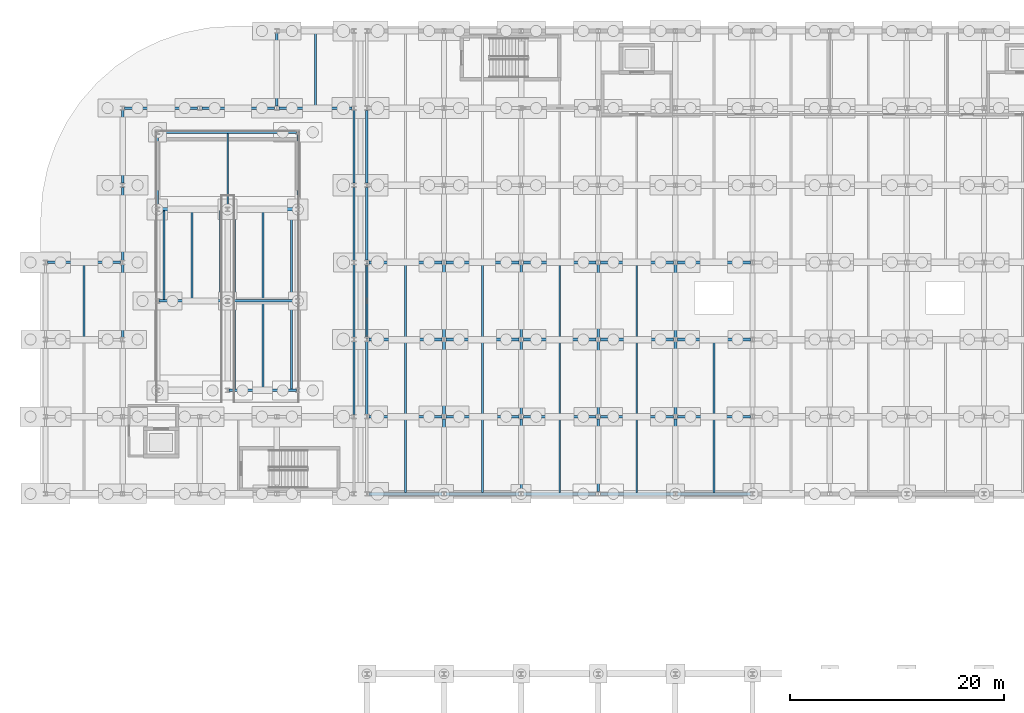
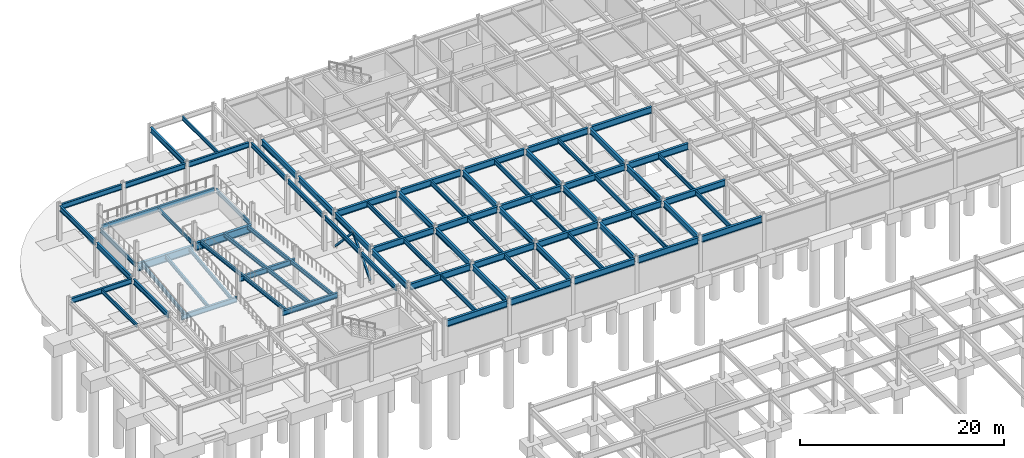
# One storey, part 29 of 54: 79 beams, 2 members.
"""IFC4 building model written with IfcOpenShell, lengths in metres."""

from ifc_helpers import new_model, si_unit, direction, frame, origin, origin_2d, place, context, subcontext, project, spatial, hollow_rectangle, i_section, extrude, material, material_profile, profile_set, type_object, element, save


model = new_model("IFC4")

# Units and contexts
model_context = context("Model", 3, precision=1e-05, world=origin(), true_north=direction((0.0, 1.0)))
body_context = subcontext(model_context, "Body", "Model", "MODEL_VIEW")
ifc_project = project(units=[si_unit("LENGTHUNIT", "METRE"), si_unit("AREAUNIT", "SQUARE_METRE"), si_unit("VOLUMEUNIT", "CUBIC_METRE"), si_unit("PLANEANGLEUNIT", "RADIAN"), si_unit("MASSUNIT", "GRAM", prefix="KILO")], contexts=[model_context])

# Site, building, storey
site_placement = place(None, origin())
site = spatial("IfcSite", under=ifc_project, at=site_placement, CompositionType="ELEMENT")
building_placement = place(site_placement, origin())
building = spatial("IfcBuilding", under=site, at=building_placement, Name="Vaelcorin Mobility Hub", CompositionType="ELEMENT")
storey_placement = place(building_placement, frame((0.0, 0.0, -4.5)))
storey = spatial("IfcBuildingStorey", under=building, at=storey_placement, Name="B1", CompositionType="ELEMENT", Elevation=-4.5)

# Beams
ifc_material_1 = material(Name="Steel ASTM A992 Grade 50", Category="steel")
ifc_material_profile_1 = material_profile(ifc_material_1, i_section(OverallWidth=0.152099609375, OverallDepth=0.455078125, WebThickness=0.008056640625, FlangeThickness=0.01318359375, FilletRadius=0.012939453125, at=origin_2d()), Name="W18X40")
ifc_profile_set_1 = profile_set([ifc_material_profile_1], Name="Steel ASTM A992 Grade 50")
beam_type_1 = type_object("IfcBeamType", Name="BM-W18X40", PredefinedType="JOIST", material=ifc_profile_set_1)
beam_1_placement = place(storey_placement, frame((9.60009765625, 91.31201171875, 4.02197265625), z_axis=(0.0, 1.0, 0.0), x_axis=(-1.0, 0.0, 0.0)))
element("IfcBeam", 1, at=beam_1_placement, inside=storey, type_object=beam_type_1, Name="B1 Beam V2W-B1-J-01-03-1", PredefinedType="JOIST", context=body_context, shape_type="SweptSolid", body=[
    extrude(i_section(OverallWidth=0.152099609375, OverallDepth=0.455078125, WebThickness=0.008056640625, FlangeThickness=0.01318359375, FilletRadius=0.012939453125, at=origin_2d()), origin(), (0.0, 0.0, 1.0), 6.97607421875),
])
beam_2_placement = place(storey_placement, frame((31.199951171875, 112.912109375, 4.02197265625), z_axis=(0.0, 1.0, 0.0), x_axis=(-1.0, 0.0, 0.0)))
element("IfcBeam", 2, at=beam_2_placement, inside=storey, type_object=beam_type_1, Name="B1 Beam V2W-B1-J-04-06-1", PredefinedType="JOIST", context=body_context, shape_type="SweptSolid", body=[
    extrude(i_section(OverallWidth=0.152099609375, OverallDepth=0.455078125, WebThickness=0.008056640625, FlangeThickness=0.01318359375, FilletRadius=0.012939453125, at=origin_2d()), origin(), (0.0, 0.0, 1.0), 6.975830078125),
])
beam_3_placement = place(storey_placement, frame((23.0, 103.52490234375, 1.741943359375), z_axis=(0.0, 1.0, 0.0), x_axis=(-1.0, 0.0, 0.0)))
element("IfcBeam", 3, at=beam_3_placement, inside=storey, type_object=beam_type_1, Name="Vehicle Ramp VR-1 B1 Landing Mid Joist", PredefinedType="JOIST", context=body_context, shape_type="SweptSolid", body=[
    extrude(i_section(OverallWidth=0.152099609375, OverallDepth=0.455078125, WebThickness=0.008056640625, FlangeThickness=0.01318359375, FilletRadius=0.012939453125, at=origin_2d()), origin(), (0.0, 0.0, 1.0), 6.922119140625),
])
ifc_material_profile_2 = material_profile(ifc_material_1, i_section(OverallWidth=0.19091796875, OverallDepth=0.4599609375, WebThickness=0.010009765625, FlangeThickness=0.01611328125, FilletRadius=0.012939453125, at=origin_2d()), Name="W18X55")
ifc_profile_set_2 = profile_set([ifc_material_profile_2], Name="Steel ASTM A992 Grade 50")
beam_type_2 = type_object("IfcBeamType", Name="BM-W18X55", PredefinedType="JOIST", material=ifc_profile_set_2)
for number, where, z_axis, x_axis, name in (
    (4, (17.050048828125, 94.909912109375, 0.60693359375), (0.0, 0.993191474496, 0.116493325936), (-1.0, 0.0, 0.0), "Vehicle Ramp VR-1 B1 Flight 1 Stringer 1"),
    (5, (19.699951171875, 94.909912109375, 0.60693359375), (0.0, 0.993191474496, 0.116493325936), (-1.0, 0.0, 0.0), "Vehicle Ramp VR-1 B1 Flight 1 Stringer 2"),
    (6, (22.35009765625, 94.909912109375, 0.60693359375), (0.0, 0.993191474496, 0.116493325936), (-1.0, 0.0, 0.0), "Vehicle Ramp VR-1 B1 Flight 1 Stringer 3"),
):
    element("IfcBeam", number, at=place(storey_placement, frame(where, z_axis=z_axis, x_axis=x_axis)), inside=storey, type_object=beam_type_2, Name=name, PredefinedType="JOIST", context=body_context, shape_type="SweptSolid", body=[
        extrude(i_section(OverallWidth=0.19091796875, OverallDepth=0.4599609375, WebThickness=0.010009765625, FlangeThickness=0.01611328125, FilletRadius=0.012939453125, at=origin_2d()), origin(), (0.0, 0.0, 1.0), 8.38720703125),
    ])
for number, where, z_axis, x_axis, name in (
    (7, (23.64990234375, 103.239990234375, 1.888916015625), (0.0, -0.99318727008, 0.116529166098), (1.0, 0.0, 0.0), "Vehicle Ramp VR-1 B1 Flight 2 Stringer 1"),
    (8, (26.300048828125, 103.239990234375, 1.888916015625), (0.0, -0.99318727008, 0.116529166098), (1.0, 0.0, 0.0), "Vehicle Ramp VR-1 B1 Flight 2 Stringer 2"),
    (9, (28.949951171875, 103.239990234375, 1.888916015625), (0.0, -0.99318727008, 0.116529166098), (1.0, 0.0, 0.0), "Vehicle Ramp VR-1 B1 Flight 2 Stringer 3"),
):
    element("IfcBeam", number, at=place(storey_placement, frame(where, z_axis=z_axis, x_axis=x_axis)), inside=storey, type_object=beam_type_2, Name=name, PredefinedType="JOIST", context=body_context, shape_type="SweptSolid", body=[
        extrude(i_section(OverallWidth=0.19091796875, OverallDepth=0.4599609375, WebThickness=0.010009765625, FlangeThickness=0.01611328125, FilletRadius=0.012939453125, at=origin_2d()), origin(), (0.0, 0.0, 1.0), 16.79443359375),
    ])
ifc_material_profile_3 = material_profile(ifc_material_1, i_section(OverallWidth=0.166015625, OverallDepth=0.528076171875, WebThickness=0.009765625, FlangeThickness=0.013671875, FilletRadius=0.013916015625, at=origin_2d()), Name="W21X50")
ifc_profile_set_3 = profile_set([ifc_material_profile_3], Name="Steel ASTM A992 Grade 50")
beam_type_3 = type_object("IfcBeamType", Name="BM-W21X50", PredefinedType="JOIST", material=ifc_profile_set_3)
for number, where, z_axis, x_axis, name in (
    (10, (39.60009765625, 76.931884765625, 3.9560546875), (0.0, 1.0, 0.0), (-1.0, 0.0, 0.0), "B1 Beam V4-B1-J-01-01-1"),
    (11, (39.60009765625, 84.132080078125, 3.9560546875), (0.0, 1.0, 0.0), (-1.0, 0.0, 0.0), "B1 Beam V4-B1-J-01-02-1"),
    (12, (39.60009765625, 91.33203125, 3.9560546875), (0.0, 1.0, 0.0), (-1.0, 0.0, 0.0), "B1 Beam V4-B1-J-01-03-1"),
    (13, (46.800048828125, 76.931884765625, 3.9560546875), (0.0, 1.0, 0.0), (-1.0, 0.0, 0.0), "B1 Beam V4-B1-J-02-01-1"),
    (14, (46.800048828125, 84.132080078125, 3.9560546875), (0.0, 1.0, 0.0), (-1.0, 0.0, 0.0), "B1 Beam V4-B1-J-02-02-1"),
    (15, (46.800048828125, 91.33203125, 3.9560546875), (0.0, 1.0, 0.0), (-1.0, 0.0, 0.0), "B1 Beam V4-B1-J-02-03-1"),
    (16, (54.0, 76.931884765625, 3.9560546875), (0.0, 1.0, 0.0), (-1.0, 0.0, 0.0), "B1 Beam V4-B1-J-03-01-1"),
    (17, (54.0, 84.132080078125, 3.9560546875), (0.0, 1.0, 0.0), (-1.0, 0.0, 0.0), "B1 Beam V4-B1-J-03-02-1"),
    (18, (54.0, 91.33203125, 3.9560546875), (0.0, 1.0, 0.0), (-1.0, 0.0, 0.0), "B1 Beam V4-B1-J-03-03-1"),
    (19, (61.199951171875, 76.931884765625, 3.9560546875), (0.0, 1.0, 0.0), (-1.0, 0.0, 0.0), "B1 Beam V4-B1-J-04-01-1"),
    (20, (61.199951171875, 84.132080078125, 3.9560546875), (0.0, 1.0, 0.0), (-1.0, 0.0, 0.0), "B1 Beam V4-B1-J-04-02-1"),
    (21, (61.199951171875, 91.33203125, 3.9560546875), (0.0, 1.0, 0.0), (-1.0, 0.0, 0.0), "B1 Beam V4-B1-J-04-03-1"),
    (22, (68.39990234375, 76.931884765625, 3.9560546875), (0.0, 1.0, 0.0), (-1.0, 0.0, 0.0), "B1 Beam V4-B1-J-05-01-1"),
    (23, (68.39990234375, 84.132080078125, 3.9560546875), (0.0, 1.0, 0.0), (-1.0, 0.0, 0.0), "B1 Beam V4-B1-J-05-02-1"),
):
    element("IfcBeam", number, at=place(storey_placement, frame(where, z_axis=z_axis, x_axis=x_axis)), inside=storey, type_object=beam_type_3, Name=name, PredefinedType="JOIST", context=body_context, shape_type="SweptSolid", body=[
        extrude(i_section(OverallWidth=0.166015625, OverallDepth=0.528076171875, WebThickness=0.009765625, FlangeThickness=0.013671875, FilletRadius=0.013916015625, at=origin_2d()), origin(), (0.0, 0.0, 1.0), 6.93603515625),
    ])
for number, where, z_axis, x_axis, name in (
    (24, (16.449951171875, 103.52490234375, 1.533935546875), (0.0, 1.0, 0.0), (-1.0, 0.0, 0.0), "Vehicle Ramp VR-1 B1 Landing West Edge Beam"),
    (25, (29.550048828125, 103.52490234375, 1.696044921875), (0.0, 1.0, 0.0), (-1.0, 0.0, 0.0), "Vehicle Ramp VR-1 B1 Landing East Edge Beam"),
):
    element("IfcBeam", number, at=place(storey_placement, frame(where, z_axis=z_axis, x_axis=x_axis)), inside=storey, type_object=beam_type_3, Name=name, PredefinedType="JOIST", context=body_context, shape_type="SweptSolid", body=[
        extrude(i_section(OverallWidth=0.166015625, OverallDepth=0.528076171875, WebThickness=0.009765625, FlangeThickness=0.013671875, FilletRadius=0.013916015625, at=origin_2d()), origin(), (0.0, 0.0, 1.0), 6.85009765625),
    ])
ifc_material_profile_4 = material_profile(ifc_material_1, i_section(OverallWidth=0.2099609375, OverallDepth=0.535888671875, WebThickness=0.010986328125, FlangeThickness=0.017333984375, FilletRadius=0.013916015625, at=origin_2d()), Name="W21X68")
ifc_profile_set_4 = profile_set([ifc_material_profile_4], Name="Steel ASTM A992 Grade 50")
beam_type_4 = type_object("IfcBeamType", Name="BM-W21X68", PredefinedType="SPANDREL", material=ifc_profile_set_4)
beam_4_placement = place(storey_placement, frame((34.800048828125, 84.195068359375, 3.98193359375), z_axis=(0.0, 1.0, 0.0), x_axis=(-1.0, 0.0, 0.0)))
element("IfcBeam", 26, at=beam_4_placement, inside=storey, type_object=beam_type_4, Name="B1 Beam V2W-B1-GY-05-02", PredefinedType="SPANDREL", context=body_context, shape_type="SweptSolid", body=[
    extrude(i_section(OverallWidth=0.2099609375, OverallDepth=0.535888671875, WebThickness=0.010986328125, FlangeThickness=0.017333984375, FilletRadius=0.013916015625, at=origin_2d()), origin(), (0.0, 0.0, 1.0), 6.809814453125),
])
for number, where, z_axis, x_axis, name in (
    (27, (34.800048828125, 91.39501953125, 3.98193359375), (0.0, 1.0, 0.0), (-1.0, 0.0, 0.0), "B1 Beam V2W-B1-GY-05-03"),
    (28, (34.800048828125, 98.594970703125, 3.98193359375), (0.0, 1.0, 0.0), (-1.0, 0.0, 0.0), "B1 Beam V2W-B1-GY-05-04"),
    (29, (34.800048828125, 105.794921875, 3.98193359375), (0.0, 1.0, 0.0), (-1.0, 0.0, 0.0), "B1 Beam V2W-B1-GY-05-05"),
):
    element("IfcBeam", number, at=place(storey_placement, frame(where, z_axis=z_axis, x_axis=x_axis)), inside=storey, type_object=beam_type_4, Name=name, PredefinedType="SPANDREL", context=body_context, shape_type="SweptSolid", body=[
        extrude(i_section(OverallWidth=0.2099609375, OverallDepth=0.535888671875, WebThickness=0.010986328125, FlangeThickness=0.017333984375, FilletRadius=0.013916015625, at=origin_2d()), origin(), (0.0, 0.0, 1.0), 6.81005859375),
    ])
beam_5_placement = place(storey_placement, frame((16.580078125, 110.550048828125, 1.701904296875), z_axis=(1.0, 0.0, 0.0), x_axis=(0.0, 1.0, 0.0)))
element("IfcBeam", 30, at=beam_5_placement, inside=storey, type_object=beam_type_4, Name="Vehicle Ramp VR-1 B1 Landing Back Girder", PredefinedType="SPANDREL", context=body_context, shape_type="SweptSolid", body=[
    extrude(i_section(OverallWidth=0.2099609375, OverallDepth=0.535888671875, WebThickness=0.010986328125, FlangeThickness=0.017333984375, FilletRadius=0.013916015625, at=origin_2d()), origin(), (0.0, 0.0, 1.0), 12.83984375),
])
ifc_material_profile_5 = material_profile(ifc_material_1, i_section(OverallWidth=0.22900390625, OverallDepth=0.612060546875, WebThickness=0.011962890625, FlangeThickness=0.01953125, FilletRadius=0.014892578125, at=origin_2d()), Name="W24X84")
ifc_profile_set_5 = profile_set([ifc_material_profile_5], Name="Steel ASTM A992 Grade 50")
beam_type_5 = type_object("IfcBeamType", Name="BM-W24X84", PredefinedType="BEAM", material=ifc_profile_set_5)
beam_6_placement = place(storey_placement, frame((6.197998046875, 98.39990234375, 3.944091796875), z_axis=(1.0, 0.0, 0.0), x_axis=(0.0, 1.0, 0.0)))
element("IfcBeam", 31, at=beam_6_placement, inside=storey, type_object=beam_type_5, Name="B1 Beam V2W-B1-GX-04-01", PredefinedType="BEAM", context=body_context, shape_type="SweptSolid", body=[
    extrude(i_section(OverallWidth=0.22900390625, OverallDepth=0.612060546875, WebThickness=0.011962890625, FlangeThickness=0.01953125, FilletRadius=0.014892578125, at=origin_2d()), origin(), (0.0, 0.0, 1.0), 6.803955078125),
])
beam_7_placement = place(storey_placement, frame((13.39697265625, 112.800048828125, 3.944091796875), z_axis=(1.0, 0.0, 0.0), x_axis=(0.0, 1.0, 0.0)))
element("IfcBeam", 32, at=beam_7_placement, inside=storey, type_object=beam_type_5, Name="B1 Beam V2W-B1-GX-06-02", PredefinedType="BEAM", context=body_context, shape_type="SweptSolid", body=[
    extrude(i_section(OverallWidth=0.22900390625, OverallDepth=0.612060546875, WebThickness=0.011962890625, FlangeThickness=0.01953125, FilletRadius=0.014892578125, at=origin_2d()), origin(), (0.0, 0.0, 1.0), 6.804931640625),
])
beam_8_placement = place(storey_placement, frame((20.597900390625, 112.800048828125, 3.944091796875), z_axis=(1.0, 0.0, 0.0), x_axis=(0.0, 1.0, 0.0)))
element("IfcBeam", 33, at=beam_8_placement, inside=storey, type_object=beam_type_5, Name="B1 Beam V2W-B1-GX-06-03", PredefinedType="BEAM", context=body_context, shape_type="SweptSolid", body=[
    extrude(i_section(OverallWidth=0.22900390625, OverallDepth=0.612060546875, WebThickness=0.011962890625, FlangeThickness=0.01953125, FilletRadius=0.014892578125, at=origin_2d()), origin(), (0.0, 0.0, 1.0), 6.80419921875),
])
beam_9_placement = place(storey_placement, frame((27.798095703125, 112.800048828125, 3.944091796875), z_axis=(1.0, 0.0, 0.0), x_axis=(0.0, 1.0, 0.0)))
element("IfcBeam", 34, at=beam_9_placement, inside=storey, type_object=beam_type_5, Name="B1 Beam V2W-B1-GX-06-04", PredefinedType="BEAM", context=body_context, shape_type="SweptSolid", body=[
    extrude(i_section(OverallWidth=0.22900390625, OverallDepth=0.612060546875, WebThickness=0.011962890625, FlangeThickness=0.01953125, FilletRadius=0.014892578125, at=origin_2d()), origin(), (0.0, 0.0, 1.0), 6.803955078125),
])
for number, where, z_axis, x_axis, name in (
    (35, (13.199951171875, 91.39501953125, 3.944091796875), (0.0, 1.0, 0.0), (-1.0, 0.0, 0.0), "B1 Beam V2W-B1-GY-02-03"),
    (36, (13.199951171875, 98.594970703125, 3.944091796875), (0.0, 1.0, 0.0), (-1.0, 0.0, 0.0), "B1 Beam V2W-B1-GY-02-04"),
    (37, (13.199951171875, 105.794921875, 3.944091796875), (0.0, 1.0, 0.0), (-1.0, 0.0, 0.0), "B1 Beam V2W-B1-GY-02-05"),
):
    element("IfcBeam", number, at=place(storey_placement, frame(where, z_axis=z_axis, x_axis=x_axis)), inside=storey, type_object=beam_type_5, Name=name, PredefinedType="BEAM", context=body_context, shape_type="SweptSolid", body=[
        extrude(i_section(OverallWidth=0.22900390625, OverallDepth=0.612060546875, WebThickness=0.011962890625, FlangeThickness=0.01953125, FilletRadius=0.014892578125, at=origin_2d()), origin(), (0.0, 0.0, 1.0), 6.81005859375),
    ])
beam_10_placement = place(storey_placement, frame((27.60009765625, 112.9951171875, 3.944091796875), z_axis=(0.0, 1.0, 0.0), x_axis=(-1.0, 0.0, 0.0)))
element("IfcBeam", 38, at=beam_10_placement, inside=storey, type_object=beam_type_5, Name="B1 Beam V2W-B1-GY-04-06", PredefinedType="BEAM", context=body_context, shape_type="SweptSolid", body=[
    extrude(i_section(OverallWidth=0.22900390625, OverallDepth=0.612060546875, WebThickness=0.011962890625, FlangeThickness=0.01953125, FilletRadius=0.014892578125, at=origin_2d()), origin(), (0.0, 0.0, 1.0), 6.809814453125),
])
for number, where, z_axis, x_axis, name in (
    (39, (16.580078125, 94.800048828125, 0.4970703125), (1.0, 0.0, 0.0), (0.0, 1.0, 0.0), "Vehicle Ramp VR-1 B1 Bent Girder F1M"),
    (40, (23.1298828125, 94.800048828125, 2.782958984375), (1.0, 0.0, 0.0), (0.0, 1.0, 0.0), "Vehicle Ramp VR-1 B1 Bent Girder F2M"),
    (41, (23.1298828125, 86.449951171875, 3.761962890625), (1.0, 0.0, 0.0), (0.0, 1.0, 0.0), "Vehicle Ramp VR-1 B1 Bent Girder F2S"),
):
    element("IfcBeam", number, at=place(storey_placement, frame(where, z_axis=z_axis, x_axis=x_axis)), inside=storey, type_object=beam_type_5, Name=name, PredefinedType="BEAM", context=body_context, shape_type="SweptSolid", body=[
        extrude(i_section(OverallWidth=0.22900390625, OverallDepth=0.612060546875, WebThickness=0.011962890625, FlangeThickness=0.01953125, FilletRadius=0.014892578125, at=origin_2d()), origin(), (0.0, 0.0, 1.0), 6.2900390625),
    ])
ifc_material_profile_6 = material_profile(ifc_material_1, i_section(OverallWidth=0.25390625, OverallDepth=0.68310546875, WebThickness=0.012451171875, FlangeThickness=0.018798828125, FilletRadius=0.01611328125, at=origin_2d()), Name="W27X94")
ifc_profile_set_6 = profile_set([ifc_material_profile_6], Name="Steel ASTM A992 Grade 50")
beam_type_6 = type_object("IfcBeamType", Name="BM-W27X94", PredefinedType="BEAM", material=ifc_profile_set_6)
beam_11_placement = place(storey_placement, frame((36.0, 84.2099609375, 3.8779296875), z_axis=(0.0, 1.0, 0.0), x_axis=(-1.0, 0.0, 0.0)))
element("IfcBeam", 42, at=beam_11_placement, inside=storey, type_object=beam_type_6, Name="B1 Beam V4-B1-GY-01-02", PredefinedType="BEAM", context=body_context, shape_type="SweptSolid", body=[
    extrude(i_section(OverallWidth=0.25390625, OverallDepth=0.68310546875, WebThickness=0.012451171875, FlangeThickness=0.018798828125, FilletRadius=0.01611328125, at=origin_2d()), origin(), (0.0, 0.0, 1.0), 6.7890625),
])
beam_12_placement = place(storey_placement, frame((36.0, 91.40087890625, 3.8779296875), z_axis=(0.0, 1.0, 0.0), x_axis=(-1.0, 0.0, 0.0)))
element("IfcBeam", 43, at=beam_12_placement, inside=storey, type_object=beam_type_6, Name="B1 Beam V4-B1-GY-01-03", PredefinedType="BEAM", context=body_context, shape_type="SweptSolid", body=[
    extrude(i_section(OverallWidth=0.25390625, OverallDepth=0.68310546875, WebThickness=0.012451171875, FlangeThickness=0.018798828125, FilletRadius=0.01611328125, at=origin_2d()), origin(), (0.0, 0.0, 1.0), 6.798095703125),
])
beam_13_placement = place(storey_placement, frame((36.0, 98.60107421875, 3.8779296875), z_axis=(0.0, 1.0, 0.0), x_axis=(-1.0, 0.0, 0.0)))
element("IfcBeam", 44, at=beam_13_placement, inside=storey, type_object=beam_type_6, Name="B1 Beam V4-B1-GY-01-04", PredefinedType="BEAM", context=body_context, shape_type="SweptSolid", body=[
    extrude(i_section(OverallWidth=0.25390625, OverallDepth=0.68310546875, WebThickness=0.012451171875, FlangeThickness=0.018798828125, FilletRadius=0.01611328125, at=origin_2d()), origin(), (0.0, 0.0, 1.0), 6.7978515625),
])
for number, where, z_axis, x_axis, name in (
    (45, (36.0, 105.801025390625, 3.8779296875), (0.0, 1.0, 0.0), (-1.0, 0.0, 0.0), "B1 Beam V4-B1-GY-01-05"),
    (46, (43.199951171875, 77.0009765625, 3.8779296875), (0.0, 1.0, 0.0), (-1.0, 0.0, 0.0), "B1 Beam V4-B1-GY-02-01"),
    (47, (43.199951171875, 84.2099609375, 3.8779296875), (0.0, 1.0, 0.0), (-1.0, 0.0, 0.0), "B1 Beam V4-B1-GY-02-02"),
):
    element("IfcBeam", number, at=place(storey_placement, frame(where, z_axis=z_axis, x_axis=x_axis)), inside=storey, type_object=beam_type_6, Name=name, PredefinedType="BEAM", context=body_context, shape_type="SweptSolid", body=[
        extrude(i_section(OverallWidth=0.25390625, OverallDepth=0.68310546875, WebThickness=0.012451171875, FlangeThickness=0.018798828125, FilletRadius=0.01611328125, at=origin_2d()), origin(), (0.0, 0.0, 1.0), 6.7890625),
    ])
beam_14_placement = place(storey_placement, frame((43.199951171875, 91.40087890625, 3.8779296875), z_axis=(0.0, 1.0, 0.0), x_axis=(-1.0, 0.0, 0.0)))
element("IfcBeam", 48, at=beam_14_placement, inside=storey, type_object=beam_type_6, Name="B1 Beam V4-B1-GY-02-03", PredefinedType="BEAM", context=body_context, shape_type="SweptSolid", body=[
    extrude(i_section(OverallWidth=0.25390625, OverallDepth=0.68310546875, WebThickness=0.012451171875, FlangeThickness=0.018798828125, FilletRadius=0.01611328125, at=origin_2d()), origin(), (0.0, 0.0, 1.0), 6.798095703125),
])
for number, where, z_axis, x_axis, name in (
    (49, (50.39990234375, 77.0009765625, 3.8779296875), (0.0, 1.0, 0.0), (-1.0, 0.0, 0.0), "B1 Beam V4-B1-GY-03-01"),
    (50, (50.39990234375, 84.2099609375, 3.8779296875), (0.0, 1.0, 0.0), (-1.0, 0.0, 0.0), "B1 Beam V4-B1-GY-03-02"),
):
    element("IfcBeam", number, at=place(storey_placement, frame(where, z_axis=z_axis, x_axis=x_axis)), inside=storey, type_object=beam_type_6, Name=name, PredefinedType="BEAM", context=body_context, shape_type="SweptSolid", body=[
        extrude(i_section(OverallWidth=0.25390625, OverallDepth=0.68310546875, WebThickness=0.012451171875, FlangeThickness=0.018798828125, FilletRadius=0.01611328125, at=origin_2d()), origin(), (0.0, 0.0, 1.0), 6.7890625),
    ])
beam_15_placement = place(storey_placement, frame((50.39990234375, 91.40087890625, 3.8779296875), z_axis=(0.0, 1.0, 0.0), x_axis=(-1.0, 0.0, 0.0)))
element("IfcBeam", 51, at=beam_15_placement, inside=storey, type_object=beam_type_6, Name="B1 Beam V4-B1-GY-03-03", PredefinedType="BEAM", context=body_context, shape_type="SweptSolid", body=[
    extrude(i_section(OverallWidth=0.25390625, OverallDepth=0.68310546875, WebThickness=0.012451171875, FlangeThickness=0.018798828125, FilletRadius=0.01611328125, at=origin_2d()), origin(), (0.0, 0.0, 1.0), 6.798095703125),
])
for number, where, z_axis, x_axis, name in (
    (52, (57.60009765625, 77.0009765625, 3.8779296875), (0.0, 1.0, 0.0), (-1.0, 0.0, 0.0), "B1 Beam V4-B1-GY-04-01"),
    (53, (57.60009765625, 84.2099609375, 3.8779296875), (0.0, 1.0, 0.0), (-1.0, 0.0, 0.0), "B1 Beam V4-B1-GY-04-02"),
):
    element("IfcBeam", number, at=place(storey_placement, frame(where, z_axis=z_axis, x_axis=x_axis)), inside=storey, type_object=beam_type_6, Name=name, PredefinedType="BEAM", context=body_context, shape_type="SweptSolid", body=[
        extrude(i_section(OverallWidth=0.25390625, OverallDepth=0.68310546875, WebThickness=0.012451171875, FlangeThickness=0.018798828125, FilletRadius=0.01611328125, at=origin_2d()), origin(), (0.0, 0.0, 1.0), 6.7890625),
    ])
beam_16_placement = place(storey_placement, frame((57.60009765625, 91.40087890625, 3.8779296875), z_axis=(0.0, 1.0, 0.0), x_axis=(-1.0, 0.0, 0.0)))
element("IfcBeam", 54, at=beam_16_placement, inside=storey, type_object=beam_type_6, Name="B1 Beam V4-B1-GY-04-03", PredefinedType="BEAM", context=body_context, shape_type="SweptSolid", body=[
    extrude(i_section(OverallWidth=0.25390625, OverallDepth=0.68310546875, WebThickness=0.012451171875, FlangeThickness=0.018798828125, FilletRadius=0.01611328125, at=origin_2d()), origin(), (0.0, 0.0, 1.0), 6.798095703125),
])
for number, where, z_axis, x_axis, name in (
    (55, (64.800048828125, 77.0009765625, 3.8779296875), (0.0, 1.0, 0.0), (-1.0, 0.0, 0.0), "B1 Beam V4-B1-GY-05-01"),
    (56, (64.800048828125, 84.2099609375, 3.8779296875), (0.0, 1.0, 0.0), (-1.0, 0.0, 0.0), "B1 Beam V4-B1-GY-05-02"),
):
    element("IfcBeam", number, at=place(storey_placement, frame(where, z_axis=z_axis, x_axis=x_axis)), inside=storey, type_object=beam_type_6, Name=name, PredefinedType="BEAM", context=body_context, shape_type="SweptSolid", body=[
        extrude(i_section(OverallWidth=0.25390625, OverallDepth=0.68310546875, WebThickness=0.012451171875, FlangeThickness=0.018798828125, FilletRadius=0.01611328125, at=origin_2d()), origin(), (0.0, 0.0, 1.0), 6.7890625),
    ])
beam_17_placement = place(storey_placement, frame((64.800048828125, 91.40087890625, 3.8779296875), z_axis=(0.0, 1.0, 0.0), x_axis=(-1.0, 0.0, 0.0)))
element("IfcBeam", 57, at=beam_17_placement, inside=storey, type_object=beam_type_6, Name="B1 Beam V4-B1-GY-05-03", PredefinedType="BEAM", context=body_context, shape_type="SweptSolid", body=[
    extrude(i_section(OverallWidth=0.25390625, OverallDepth=0.68310546875, WebThickness=0.012451171875, FlangeThickness=0.018798828125, FilletRadius=0.01611328125, at=origin_2d()), origin(), (0.0, 0.0, 1.0), 6.798095703125),
])
ifc_material_profile_7 = material_profile(ifc_material_1, i_section(OverallWidth=0.26708984375, OverallDepth=0.757080078125, WebThickness=0.013916015625, FlangeThickness=0.019287109375, FilletRadius=0.01708984375, at=origin_2d()), Name="W30X108")
ifc_profile_set_7 = profile_set([ifc_material_profile_7], Name="Steel ASTM A992 Grade 50")
beam_type_7 = type_object("IfcBeamType", Name="BM-W30X108", PredefinedType="BEAM", material=ifc_profile_set_7)
for number, where, z_axis, x_axis, name in (
    (58, (36.199951171875, 76.800048828125, 3.841064453125), (1.0, 0.0, 0.0), (0.0, 1.0, 0.0), "B1 Beam V4-B1-GX-01-01"),
    (59, (43.39990234375, 76.800048828125, 3.841064453125), (1.0, 0.0, 0.0), (0.0, 1.0, 0.0), "B1 Beam V4-B1-GX-01-02"),
):
    element("IfcBeam", number, at=place(storey_placement, frame(where, z_axis=z_axis, x_axis=x_axis)), inside=storey, type_object=beam_type_7, Name=name, PredefinedType="BEAM", context=body_context, shape_type="SweptSolid", body=[
        extrude(i_section(OverallWidth=0.26708984375, OverallDepth=0.757080078125, WebThickness=0.013916015625, FlangeThickness=0.019287109375, FilletRadius=0.01708984375, at=origin_2d()), origin(), (0.0, 0.0, 1.0), 6.800048828125),
    ])
beam_18_placement = place(storey_placement, frame((50.60009765625, 76.800048828125, 3.841064453125), z_axis=(1.0, 0.0, 0.0), x_axis=(0.0, 1.0, 0.0)))
element("IfcBeam", 60, at=beam_18_placement, inside=storey, type_object=beam_type_7, Name="B1 Beam V4-B1-GX-01-03", PredefinedType="BEAM", context=body_context, shape_type="SweptSolid", body=[
    extrude(i_section(OverallWidth=0.26708984375, OverallDepth=0.757080078125, WebThickness=0.013916015625, FlangeThickness=0.019287109375, FilletRadius=0.01708984375, at=origin_2d()), origin(), (0.0, 0.0, 1.0), 6.7998046875),
])
for number, where, z_axis, x_axis, name in (
    (61, (57.800048828125, 76.800048828125, 3.841064453125), (1.0, 0.0, 0.0), (0.0, 1.0, 0.0), "B1 Beam V4-B1-GX-01-04"),
    (62, (65.0, 76.800048828125, 3.841064453125), (1.0, 0.0, 0.0), (0.0, 1.0, 0.0), "B1 Beam V4-B1-GX-01-05"),
):
    element("IfcBeam", number, at=place(storey_placement, frame(where, z_axis=z_axis, x_axis=x_axis)), inside=storey, type_object=beam_type_7, Name=name, PredefinedType="BEAM", context=body_context, shape_type="SweptSolid", body=[
        extrude(i_section(OverallWidth=0.26708984375, OverallDepth=0.757080078125, WebThickness=0.013916015625, FlangeThickness=0.019287109375, FilletRadius=0.01708984375, at=origin_2d()), origin(), (0.0, 0.0, 1.0), 6.800048828125),
    ])
beam_19_placement = place(storey_placement, frame((36.201904296875, 84.0, 3.841064453125), z_axis=(1.0, 0.0, 0.0), x_axis=(0.0, 1.0, 0.0)))
element("IfcBeam", 63, at=beam_19_placement, inside=storey, type_object=beam_type_7, Name="B1 Beam V4-B1-GX-02-01", PredefinedType="BEAM", context=body_context, shape_type="SweptSolid", body=[
    extrude(i_section(OverallWidth=0.26708984375, OverallDepth=0.757080078125, WebThickness=0.013916015625, FlangeThickness=0.019287109375, FilletRadius=0.01708984375, at=origin_2d()), origin(), (0.0, 0.0, 1.0), 6.796142578125),
])
for number, where, z_axis, x_axis, name in (
    (64, (43.402099609375, 84.0, 3.841064453125), (1.0, 0.0, 0.0), (0.0, 1.0, 0.0), "B1 Beam V4-B1-GX-02-02"),
    (65, (50.60205078125, 84.0, 3.841064453125), (1.0, 0.0, 0.0), (0.0, 1.0, 0.0), "B1 Beam V4-B1-GX-02-03"),
    (66, (57.802001953125, 84.0, 3.841064453125), (1.0, 0.0, 0.0), (0.0, 1.0, 0.0), "B1 Beam V4-B1-GX-02-04"),
):
    element("IfcBeam", number, at=place(storey_placement, frame(where, z_axis=z_axis, x_axis=x_axis)), inside=storey, type_object=beam_type_7, Name=name, PredefinedType="BEAM", context=body_context, shape_type="SweptSolid", body=[
        extrude(i_section(OverallWidth=0.26708984375, OverallDepth=0.757080078125, WebThickness=0.013916015625, FlangeThickness=0.019287109375, FilletRadius=0.01708984375, at=origin_2d()), origin(), (0.0, 0.0, 1.0), 6.7958984375),
    ])
beam_20_placement = place(storey_placement, frame((65.001953125, 84.0, 3.841064453125), z_axis=(1.0, 0.0, 0.0), x_axis=(0.0, 1.0, 0.0)))
element("IfcBeam", 67, at=beam_20_placement, inside=storey, type_object=beam_type_7, Name="B1 Beam V4-B1-GX-02-05", PredefinedType="BEAM", context=body_context, shape_type="SweptSolid", body=[
    extrude(i_section(OverallWidth=0.26708984375, OverallDepth=0.757080078125, WebThickness=0.013916015625, FlangeThickness=0.019287109375, FilletRadius=0.01708984375, at=origin_2d()), origin(), (0.0, 0.0, 1.0), 6.796142578125),
])
for number, where, z_axis, x_axis, name in (
    (68, (36.199951171875, 91.199951171875, 3.841064453125), (1.0, 0.0, 0.0), (0.0, 1.0, 0.0), "B1 Beam V4-B1-GX-03-01"),
    (69, (43.39990234375, 91.199951171875, 3.841064453125), (1.0, 0.0, 0.0), (0.0, 1.0, 0.0), "B1 Beam V4-B1-GX-03-02"),
):
    element("IfcBeam", number, at=place(storey_placement, frame(where, z_axis=z_axis, x_axis=x_axis)), inside=storey, type_object=beam_type_7, Name=name, PredefinedType="BEAM", context=body_context, shape_type="SweptSolid", body=[
        extrude(i_section(OverallWidth=0.26708984375, OverallDepth=0.757080078125, WebThickness=0.013916015625, FlangeThickness=0.019287109375, FilletRadius=0.01708984375, at=origin_2d()), origin(), (0.0, 0.0, 1.0), 6.800048828125),
    ])
beam_21_placement = place(storey_placement, frame((50.60009765625, 91.199951171875, 3.841064453125), z_axis=(1.0, 0.0, 0.0), x_axis=(0.0, 1.0, 0.0)))
element("IfcBeam", 70, at=beam_21_placement, inside=storey, type_object=beam_type_7, Name="B1 Beam V4-B1-GX-03-03", PredefinedType="BEAM", context=body_context, shape_type="SweptSolid", body=[
    extrude(i_section(OverallWidth=0.26708984375, OverallDepth=0.757080078125, WebThickness=0.013916015625, FlangeThickness=0.019287109375, FilletRadius=0.01708984375, at=origin_2d()), origin(), (0.0, 0.0, 1.0), 6.7998046875),
])
for number, where, z_axis, x_axis, name in (
    (71, (57.800048828125, 91.199951171875, 3.841064453125), (1.0, 0.0, 0.0), (0.0, 1.0, 0.0), "B1 Beam V4-B1-GX-03-04"),
    (72, (65.0, 91.199951171875, 3.841064453125), (1.0, 0.0, 0.0), (0.0, 1.0, 0.0), "B1 Beam V4-B1-GX-03-05"),
    (73, (36.199951171875, 98.39990234375, 3.841064453125), (1.0, 0.0, 0.0), (0.0, 1.0, 0.0), "B1 Beam V4-B1-GX-04-01"),
    (74, (43.39990234375, 98.39990234375, 3.841064453125), (1.0, 0.0, 0.0), (0.0, 1.0, 0.0), "B1 Beam V4-B1-GX-04-02"),
):
    element("IfcBeam", number, at=place(storey_placement, frame(where, z_axis=z_axis, x_axis=x_axis)), inside=storey, type_object=beam_type_7, Name=name, PredefinedType="BEAM", context=body_context, shape_type="SweptSolid", body=[
        extrude(i_section(OverallWidth=0.26708984375, OverallDepth=0.757080078125, WebThickness=0.013916015625, FlangeThickness=0.019287109375, FilletRadius=0.01708984375, at=origin_2d()), origin(), (0.0, 0.0, 1.0), 6.800048828125),
    ])
beam_22_placement = place(storey_placement, frame((50.60009765625, 98.39990234375, 3.841064453125), z_axis=(1.0, 0.0, 0.0), x_axis=(0.0, 1.0, 0.0)))
element("IfcBeam", 75, at=beam_22_placement, inside=storey, type_object=beam_type_7, Name="B1 Beam V4-B1-GX-04-03", PredefinedType="BEAM", context=body_context, shape_type="SweptSolid", body=[
    extrude(i_section(OverallWidth=0.26708984375, OverallDepth=0.757080078125, WebThickness=0.013916015625, FlangeThickness=0.019287109375, FilletRadius=0.01708984375, at=origin_2d()), origin(), (0.0, 0.0, 1.0), 6.7998046875),
])
for number, where, z_axis, x_axis, name in (
    (76, (57.800048828125, 98.39990234375, 3.841064453125), (1.0, 0.0, 0.0), (0.0, 1.0, 0.0), "B1 Beam V4-B1-GX-04-04"),
    (77, (65.0, 98.39990234375, 3.841064453125), (1.0, 0.0, 0.0), (0.0, 1.0, 0.0), "B1 Beam V4-B1-GX-04-05"),
):
    element("IfcBeam", number, at=place(storey_placement, frame(where, z_axis=z_axis, x_axis=x_axis)), inside=storey, type_object=beam_type_7, Name=name, PredefinedType="BEAM", context=body_context, shape_type="SweptSolid", body=[
        extrude(i_section(OverallWidth=0.26708984375, OverallDepth=0.757080078125, WebThickness=0.013916015625, FlangeThickness=0.019287109375, FilletRadius=0.01708984375, at=origin_2d()), origin(), (0.0, 0.0, 1.0), 6.800048828125),
    ])
ifc_material_profile_8 = material_profile(ifc_material_1, i_section(OverallWidth=0.304931640625, OverallDepth=0.9140625, WebThickness=0.0166015625, FlangeThickness=0.02587890625, FilletRadius=0.02001953125, at=origin_2d()), Name="W36X160")
ifc_profile_set_8 = profile_set([ifc_material_profile_8], Name="Steel ASTM A992 Grade 50")
beam_type_8 = type_object("IfcBeamType", Name="BM-W36X160", PredefinedType="BEAM", material=ifc_profile_set_8)
for number, where, z_axis, x_axis, name in (
    (78, (16.580078125, 103.35009765625, 1.341064453125), (1.0, 0.0, 0.0), (0.0, 1.0, 0.0), "Vehicle Ramp VR-1 B1 Landing Girder NW"),
    (79, (23.1298828125, 103.35009765625, 1.5029296875), (1.0, 0.0, 0.0), (0.0, 1.0, 0.0), "Vehicle Ramp VR-1 B1 Landing Girder NE"),
):
    element("IfcBeam", number, at=place(storey_placement, frame(where, z_axis=z_axis, x_axis=x_axis)), inside=storey, type_object=beam_type_8, Name=name, PredefinedType="BEAM", context=body_context, shape_type="SweptSolid", body=[
        extrude(i_section(OverallWidth=0.304931640625, OverallDepth=0.9140625, WebThickness=0.0166015625, FlangeThickness=0.02587890625, FilletRadius=0.02001953125, at=origin_2d()), origin(), (0.0, 0.0, 1.0), 6.2900390625),
    ])

# Members
ifc_material_2 = material(Name="Steel ASTM A500 Grade C", Category="steel")
ifc_material_profile_9 = material_profile(ifc_material_2, hollow_rectangle(XDim=0.203125, YDim=0.203125, WallThickness=0.01171875, at=origin_2d()), Name="HSS8X8X0.500")
ifc_profile_set_9 = profile_set([ifc_material_profile_9], Name="Steel ASTM A500 Grade C")
member_type = type_object("IfcMemberType", Name="BR-SCBF-8X8", PredefinedType="BRACE", material=ifc_profile_set_9)
member_1_placement = place(storey_placement, frame((36.0, 91.389892578125, 0.179931640625), z_axis=(0.0, 0.68068097154, 0.732579971732), x_axis=(-1.0, 0.0, 0.0)))
element("IfcMember", 80, at=member_1_placement, inside=storey, type_object=member_type, Name="SCBF Chevron Brace V4-BY1-B1-A", PredefinedType="BRACE", context=body_context, shape_type="SweptSolid", body=[
    extrude(hollow_rectangle(XDim=0.203125, YDim=0.203125, WallThickness=0.01171875, at=origin_2d()), origin(), (0.0, 0.0, 1.0), 5.010009765625),
])
member_2_placement = place(storey_placement, frame((36.0, 98.2099609375, 0.179931640625), z_axis=(0.0, -0.680654817362, 0.73260427217), x_axis=(1.0, 0.0, 0.0)))
element("IfcMember", 81, at=member_2_placement, inside=storey, type_object=member_type, Name="SCBF Chevron Brace V4-BY1-B1-B", PredefinedType="BRACE", context=body_context, shape_type="SweptSolid", body=[
    extrude(hollow_rectangle(XDim=0.203125, YDim=0.203125, WallThickness=0.01171875, at=origin_2d()), origin(), (0.0, 0.0, 1.0), 5.009765625),
])

save(model, "model.ifc")
